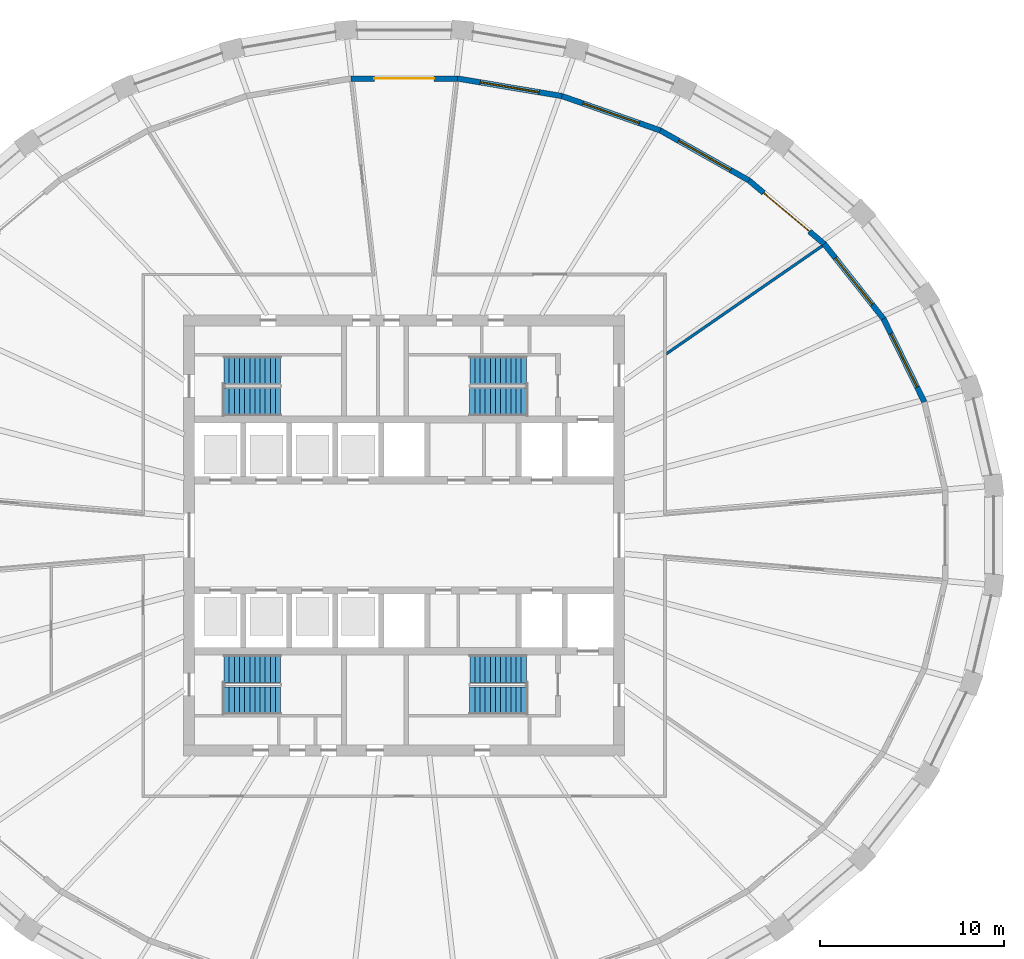
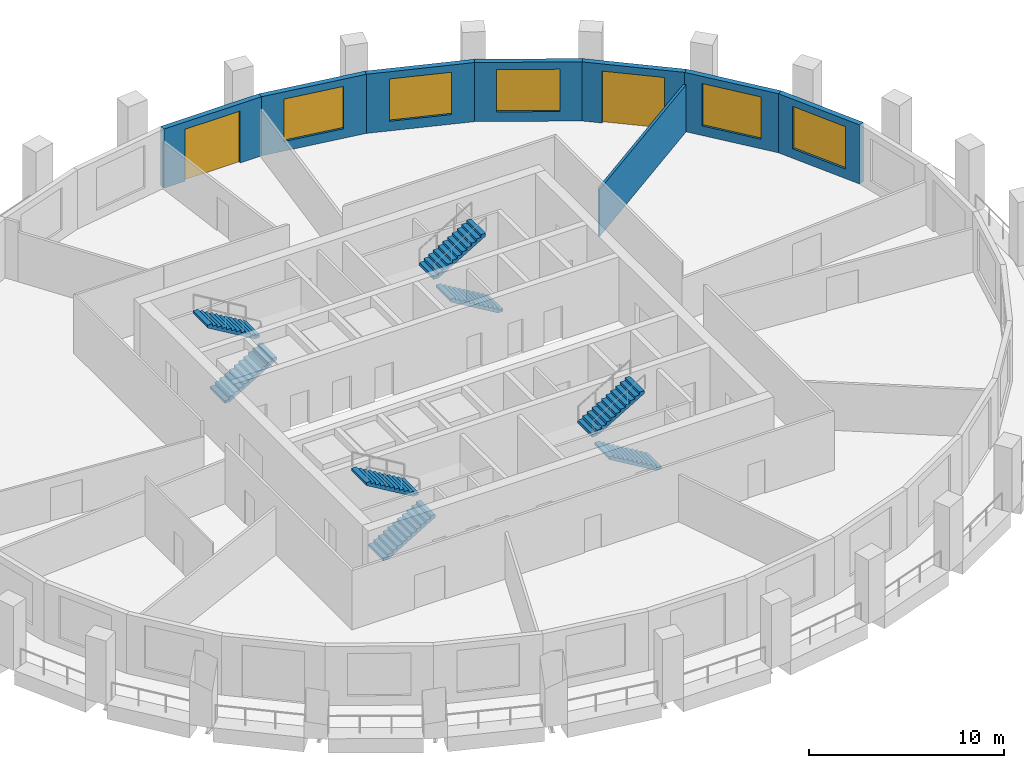
# One storey, part 7 of 10: 8 stair flights, 8 walls, 5 windows, 2 doors, 7 openings, 4 elements without a shape of their own.
"""IFC4 building model written with IfcOpenShell, lengths in metres."""

from ifc_helpers import new_model, si_unit, direction, frame, frame_2d, origin, place, context, subcontext, project, spatial, polyline, rectangle, outline, extrude, material, layer, layer_set, type_object, element, fill, aggregate, save


model = new_model("IFC4")

# Units and contexts
model_context = context("Model", 3, precision=1e-05, world=origin(), true_north=direction((0.0, 1.0)))
body_context = subcontext(model_context, "Body", "Model", "MODEL_VIEW")
ifc_project = project(units=[si_unit("LENGTHUNIT", "METRE"), si_unit("AREAUNIT", "SQUARE_METRE"), si_unit("VOLUMEUNIT", "CUBIC_METRE"), si_unit("PLANEANGLEUNIT", "RADIAN"), si_unit("MASSUNIT", "GRAM", prefix="KILO")], contexts=[model_context])

# Site, building, storey
site_placement = place(None, origin())
site = spatial("IfcSite", under=ifc_project, at=site_placement, CompositionType="ELEMENT")
building_placement = place(site_placement, origin())
building = spatial("IfcBuilding", under=site, at=building_placement, Name="Halqa Exchange Tower", CompositionType="ELEMENT")
storey_placement = place(building_placement, frame((0.0, 0.0, 202.89990234375)))
storey = spatial("IfcBuildingStorey", under=building, at=storey_placement, Name="L46", CompositionType="ELEMENT", Elevation=202.89990234375)

# Wall
ifc_material_1 = material(Name="Fire-rated gypsum board")
ifc_layer_1 = layer(ifc_material_1, 0.14990234375)
ifc_layer_set_1 = layer_set([ifc_layer_1], Name="Fire-rated gypsum board")
wall_type_1 = type_object("IfcWallType", Name="Fire partition EI 60 150", PredefinedType="PARTITIONING", material=ifc_layer_set_1)
wall_1_placement = place(storey_placement, frame((14.232421875, 9.8525390625, 0.0), z_axis=(0.0, 0.0, 1.0), x_axis=(0.822298116352, 0.569056946047, 0.0)))
element("IfcWall", 1, at=wall_1_placement, inside=storey, type_object=wall_type_1, Name="L46-PWL-020", PredefinedType="PARTITIONING", context=body_context, shape_type="SweptSolid", body=[
    extrude(outline(polyline([(10.370361328125, -0.074951171875), (10.370361328125, -0.070068359375), (10.36572265625, 0.001953125), (10.345947265625, 0.074951171875), (8.638916015625, 0.074951171875), (6.931884765625, 0.074951171875), (5.224853515625, 0.074951171875), (3.517822265625, 0.074951171875), (1.810791015625, 0.074951171875), (0.103759765625, 0.074951171875), (0.0, -0.07470703125), (0.0, -0.074951171875), (1.728515625, -0.074951171875), (3.456787109375, -0.074951171875), (5.18505859375, -0.074951171875), (6.91357421875, -0.074951171875), (8.64208984375, -0.074951171875), (10.370361328125, -0.074951171875)])), origin(), (0.0, 0.0, 1.0), 2.947021484375),
])

# Wall, opening, window
ifc_material_2 = material(Name="Limestone cladding", Category="masonry")
ifc_layer_2 = layer(ifc_material_2, 0.0400390625)
ifc_material_3 = material(Name="Ventilated cavity")
ifc_layer_3 = layer(ifc_material_3, 0.030029296875, ventilated=True)
ifc_material_4 = material(Name="Mineral wool insulation")
ifc_layer_4 = layer(ifc_material_4, 0.10009765625)
ifc_material_5 = material(Name="Concrete C30/37", Category="concrete")
ifc_layer_5 = layer(ifc_material_5, 0.10009765625)
ifc_material_6 = material(Name="Internal plaster")
ifc_layer_6 = layer(ifc_material_6, 0.030029296875)
ifc_layer_set_2 = layer_set([ifc_layer_2, ifc_layer_3, ifc_layer_4, ifc_layer_5, ifc_layer_6], Name="Stone-faced insulated wall 300")
wall_type_2 = type_object("IfcWallType", Name="Stone-faced insulated wall 300", PredefinedType="STANDARD", material=ifc_layer_set_2)
wall_2_placement = place(storey_placement, frame((28.311279296875, 7.259033203125, 0.0), z_axis=(0.0, 0.0, 1.0), x_axis=(-0.440773193145, 0.89761851151, 0.0)))
wall_2 = element("IfcWall", 2, at=wall_2_placement, inside=storey, type_object=wall_type_2, Name="Glass-line wall 2", PredefinedType="STANDARD", context=body_context, shape_type="SweptSolid", body=[
    extrude(outline(polyline([(-0.016845703125, -0.14990234375), (5.059326171875, -0.14990234375), (5.027099609375, 0.14990234375), (0.016845703125, 0.14990234375), (-0.016845703125, -0.14990234375)])), origin(), (0.0, 0.0, 1.0), 3.7001953125),
])
opening_1_placement = place(wall_2_placement, frame((0.896484375, 0.0, 0.60009765625)))
opening_1 = element("IfcOpeningElement", 3, at=opening_1_placement, cuts=wall_2, Name="Opening W-F3-02", PredefinedType="OPENING", context=body_context, shape_type="SweptSolid", body=[
    extrude(rectangle(XDim=3.25, YDim=2.64990234375, at=frame_2d((1.625, 1.324951171875))), frame((0.0, 0.162109375, 0.0), z_axis=(0.0, -1.0, 0.0), x_axis=(1.0, 0.0, 0.0)), (0.0, 0.0, 1.0), 0.323974609375),
])
ifc_material_7 = material(Name="Clear low-emissivity glass in aluminium frame", Category="aluminium")
window_type = type_object("IfcWindowType", Name="Fixed clear glazed window 3250 x 2650", PartitioningType="TRIPLE_PANEL_VERTICAL", PredefinedType="WINDOW", material=ifc_material_7)
window_1_placement = place(opening_1_placement, origin())
window_1 = element("IfcWindow", 4, at=window_1_placement, inside=storey, type_object=window_type, Name="Window 3", OverallHeight=2.64990234375, OverallWidth=3.25, PartitioningType="TRIPLE_PANEL_VERTICAL", PredefinedType="WINDOW", context=body_context, shape_type="SweptSolid", body=[
    extrude(rectangle(XDim=3.25, YDim=2.64990234375, at=frame_2d((1.625, 1.324951171875))), frame((0.0, 0.030029296875, 0.0), z_axis=(0.0, -1.0, 0.0), x_axis=(1.0, 0.0, 0.0)), (0.0, 0.0, 1.0), 0.06005859375),
])
fill(opening_1, window_1)

wall_3_placement = place(storey_placement, frame((26.08837890625, 11.785888671875, 0.0), z_axis=(0.0, 0.0, 1.0), x_axis=(-0.620870264345, 0.783913333763, 0.0)))
wall_3 = element("IfcWall", 5, at=wall_3_placement, inside=storey, type_object=wall_type_2, Name="Glass-line wall 3", PredefinedType="STANDARD", context=body_context, shape_type="SweptSolid", body=[
    extrude(outline(polyline([(-0.01611328125, -0.14990234375), (5.209716796875, -0.14990234375), (5.179443359375, 0.14990234375), (0.01611328125, 0.14990234375), (-0.01611328125, -0.14990234375)])), origin(), (0.0, 0.0, 1.0), 3.7001953125),
])
opening_2_placement = place(wall_3_placement, frame((0.97216796875, 0.0, 0.60009765625)))
opening_2 = element("IfcOpeningElement", 6, at=opening_2_placement, cuts=wall_3, Name="Opening W-F3-03", PredefinedType="OPENING", context=body_context, shape_type="SweptSolid", body=[
    extrude(rectangle(XDim=3.25, YDim=2.64990234375, at=frame_2d((1.625, 1.324951171875))), frame((0.0, 0.162109375, 0.0), z_axis=(0.0, -1.0, 0.0), x_axis=(1.0, 0.0, 0.0)), (0.0, 0.0, 1.0), 0.323974609375),
])
window_2_placement = place(opening_2_placement, origin())
window_2 = element("IfcWindow", 7, at=window_2_placement, inside=storey, type_object=window_type, Name="Window 3", OverallHeight=2.64990234375, OverallWidth=3.25, PartitioningType="TRIPLE_PANEL_VERTICAL", PredefinedType="WINDOW", context=body_context, shape_type="SweptSolid", body=[
    extrude(rectangle(XDim=3.25, YDim=2.64990234375, at=frame_2d((1.625, 1.324951171875))), frame((0.0, 0.030029296875, 0.0), z_axis=(0.0, -1.0, 0.0), x_axis=(1.0, 0.0, 0.0)), (0.0, 0.0, 1.0), 0.06005859375),
])
fill(opening_2, window_2)

# Wall, opening, door
wall_4_placement = place(storey_placement, frame((22.86328125, 15.85791015625, 0.0), z_axis=(0.0, 0.0, 1.0), x_axis=(-0.764386053229, 0.6447588399, 0.0)))
wall_4 = element("IfcWall", 8, at=wall_4_placement, inside=storey, type_object=wall_type_2, Name="Glass-line wall 4", PredefinedType="STANDARD", context=body_context, shape_type="SweptSolid", body=[
    extrude(outline(polyline([(-0.01513671875, -0.14990234375), (5.381591796875, -0.14990234375), (5.353271484375, 0.14990234375), (0.01513671875, 0.14990234375), (-0.01513671875, -0.14990234375)])), origin(), (0.0, 0.0, 1.0), 3.7001953125),
])
opening_3_placement = place(wall_4_placement, frame((1.058837890625, 0.0, 0.0)))
opening_3 = element("IfcOpeningElement", 9, at=opening_3_placement, cuts=wall_4, Name="Opening LG-F3-01", PredefinedType="OPENING", context=body_context, shape_type="SweptSolid", body=[
    extrude(rectangle(XDim=3.25, YDim=3.25, at=frame_2d((1.625, 1.625))), frame((0.0, 0.162109375, 0.0), z_axis=(0.0, -1.0, 0.0), x_axis=(1.0, 0.0, 0.0)), (0.0, 0.0, 1.0), 0.323974609375),
])
door_type = type_object("IfcDoorType", Name="Glazed sliding loggia door 3250 x 3250", OperationType="DOUBLE_DOOR_SLIDING", PredefinedType="DOOR", material=ifc_material_7)
door_1_placement = place(opening_3_placement, origin())
door_1 = element("IfcDoor", 10, at=door_1_placement, inside=storey, type_object=door_type, Name="Loggia door 1", OperationType="DOUBLE_DOOR_SLIDING", OverallHeight=3.25, OverallWidth=3.25, PredefinedType="DOOR", context=body_context, shape_type="SweptSolid", body=[
    extrude(rectangle(XDim=3.25, YDim=3.25, at=frame_2d((1.625, 1.625))), frame((0.0, 0.02490234375, 0.0), z_axis=(0.0, -1.0, 0.0), x_axis=(1.0, 0.0, 0.0)), (0.0, 0.0, 1.0), 0.050048828125),
])
fill(opening_3, door_1)

# Wall, opening, window
wall_5_placement = place(storey_placement, frame((18.760498046875, 19.318603515625, 0.0), z_axis=(0.0, 0.0, 1.0), x_axis=(-0.871140546168, 0.491033755278, 0.0)))
wall_5 = element("IfcWall", 11, at=wall_5_placement, inside=storey, type_object=wall_type_2, Name="Glass-line wall 5", PredefinedType="STANDARD", context=body_context, shape_type="SweptSolid", body=[
    extrude(outline(polyline([(-0.01416015625, -0.14990234375), (5.548828125, -0.14990234375), (5.52197265625, 0.14990234375), (0.01416015625, 0.14990234375), (-0.01416015625, -0.14990234375)])), origin(), (0.0, 0.0, 1.0), 3.7001953125),
])
opening_4_placement = place(wall_5_placement, frame((1.142578125, 0.0, 0.60009765625)))
opening_4 = element("IfcOpeningElement", 12, at=opening_4_placement, cuts=wall_5, Name="Opening W-F3-05", PredefinedType="OPENING", context=body_context, shape_type="SweptSolid", body=[
    extrude(rectangle(XDim=3.25, YDim=2.64990234375, at=frame_2d((1.625, 1.324951171875))), frame((0.0, 0.162109375, 0.0), z_axis=(0.0, -1.0, 0.0), x_axis=(1.0, 0.0, 0.0)), (0.0, 0.0, 1.0), 0.323974609375),
])
window_3_placement = place(opening_4_placement, origin())
window_3 = element("IfcWindow", 13, at=window_3_placement, inside=storey, type_object=window_type, Name="Window 3", OverallHeight=2.64990234375, OverallWidth=3.25, PartitioningType="TRIPLE_PANEL_VERTICAL", PredefinedType="WINDOW", context=body_context, shape_type="SweptSolid", body=[
    extrude(rectangle(XDim=3.25, YDim=2.64990234375, at=frame_2d((1.625, 1.324951171875))), frame((0.0, 0.030029296875, 0.0), z_axis=(0.0, -1.0, 0.0), x_axis=(1.0, 0.0, 0.0)), (0.0, 0.0, 1.0), 0.06005859375),
])
fill(opening_4, window_3)

wall_6_placement = place(storey_placement, frame((13.9384765625, 22.03662109375, 0.0), z_axis=(0.0, 0.0, 1.0), x_axis=(-0.944023272224, 0.329878858824, 0.0)))
wall_6 = element("IfcWall", 14, at=wall_6_placement, inside=storey, type_object=wall_type_2, Name="Glass-line wall 6", PredefinedType="STANDARD", context=body_context, shape_type="SweptSolid", body=[
    extrude(outline(polyline([(-0.013427734375, -0.14990234375), (5.686279296875, -0.14990234375), (5.660888671875, 0.14990234375), (0.013427734375, 0.14990234375), (-0.013427734375, -0.14990234375)])), origin(), (0.0, 0.0, 1.0), 3.7001953125),
])
opening_5_placement = place(wall_6_placement, frame((1.2119140625, 0.0, 0.60009765625)))
opening_5 = element("IfcOpeningElement", 15, at=opening_5_placement, cuts=wall_6, Name="Opening W-F3-06", PredefinedType="OPENING", context=body_context, shape_type="SweptSolid", body=[
    extrude(rectangle(XDim=3.25, YDim=2.64990234375, at=frame_2d((1.625, 1.324951171875))), frame((0.0, 0.162109375, 0.0), z_axis=(0.0, -1.0, 0.0), x_axis=(1.0, 0.0, 0.0)), (0.0, 0.0, 1.0), 0.323974609375),
])
window_4_placement = place(opening_5_placement, origin())
window_4 = element("IfcWindow", 16, at=window_4_placement, inside=storey, type_object=window_type, Name="Window 3", OverallHeight=2.64990234375, OverallWidth=3.25, PartitioningType="TRIPLE_PANEL_VERTICAL", PredefinedType="WINDOW", context=body_context, shape_type="SweptSolid", body=[
    extrude(rectangle(XDim=3.25, YDim=2.64990234375, at=frame_2d((1.625, 1.324951171875))), frame((0.0, 0.030029296875, 0.0), z_axis=(0.0, -1.0, 0.0), x_axis=(1.0, 0.0, 0.0)), (0.0, 0.0, 1.0), 0.06005859375),
])
fill(opening_5, window_4)

wall_7_placement = place(storey_placement, frame((8.58251953125, 23.908203125, 0.0), z_axis=(0.0, 0.0, 1.0), x_axis=(-0.98622052717, 0.165436005116, 0.0)))
wall_7 = element("IfcWall", 17, at=wall_7_placement, inside=storey, type_object=wall_type_2, Name="Glass-line wall 7", PredefinedType="STANDARD", context=body_context, shape_type="SweptSolid", body=[
    extrude(outline(polyline([(-0.0126953125, -0.14990234375), (5.776611328125, -0.14990234375), (5.751708984375, 0.14990234375), (0.0126953125, 0.14990234375), (-0.0126953125, -0.14990234375)])), origin(), (0.0, 0.0, 1.0), 3.7001953125),
])
opening_6_placement = place(wall_7_placement, frame((1.257080078125, 0.0, 0.60009765625)))
opening_6 = element("IfcOpeningElement", 18, at=opening_6_placement, cuts=wall_7, Name="Opening W-F3-07", PredefinedType="OPENING", context=body_context, shape_type="SweptSolid", body=[
    extrude(rectangle(XDim=3.25, YDim=2.64990234375, at=frame_2d((1.625, 1.324951171875))), frame((0.0, 0.162109375, 0.0), z_axis=(0.0, -1.0, 0.0), x_axis=(1.0, 0.0, 0.0)), (0.0, 0.0, 1.0), 0.323974609375),
])
window_5_placement = place(opening_6_placement, origin())
window_5 = element("IfcWindow", 19, at=window_5_placement, inside=storey, type_object=window_type, Name="Window 3", OverallHeight=2.64990234375, OverallWidth=3.25, PartitioningType="TRIPLE_PANEL_VERTICAL", PredefinedType="WINDOW", context=body_context, shape_type="SweptSolid", body=[
    extrude(rectangle(XDim=3.25, YDim=2.64990234375, at=frame_2d((1.625, 1.324951171875))), frame((0.0, 0.030029296875, 0.0), z_axis=(0.0, -1.0, 0.0), x_axis=(1.0, 0.0, 0.0)), (0.0, 0.0, 1.0), 0.06005859375),
])
fill(opening_6, window_5)

# Wall, opening, door
wall_8_placement = place(storey_placement, frame((2.897705078125, 24.86181640625, 0.0), z_axis=(0.0, 0.0, 1.0), x_axis=(-1.0, 0.0, 0.0)))
wall_8 = element("IfcWall", 20, at=wall_8_placement, inside=storey, type_object=wall_type_2, Name="Glass-line wall 8", PredefinedType="STANDARD", context=body_context, shape_type="SweptSolid", body=[
    extrude(outline(polyline([(-0.012451171875, -0.14990234375), (5.807861328125, -0.14990234375), (5.782958984375, 0.14990234375), (0.012451171875, 0.14990234375), (-0.012451171875, -0.14990234375)])), origin(), (0.0, 0.0, 1.0), 3.7001953125),
])
opening_7_placement = place(wall_8_placement, frame((1.272705078125, 0.0, 0.0)))
opening_7 = element("IfcOpeningElement", 21, at=opening_7_placement, cuts=wall_8, Name="Opening LG-F3-02", PredefinedType="OPENING", context=body_context, shape_type="SweptSolid", body=[
    extrude(rectangle(XDim=3.25, YDim=3.25, at=frame_2d((1.625, 1.625))), frame((0.0, 0.162109375, 0.0), z_axis=(0.0, -1.0, 0.0), x_axis=(1.0, 0.0, 0.0)), (0.0, 0.0, 1.0), 0.323974609375),
])
door_2_placement = place(opening_7_placement, origin())
door_2 = element("IfcDoor", 22, at=door_2_placement, inside=storey, type_object=door_type, Name="Loggia door 2", OperationType="DOUBLE_DOOR_SLIDING", OverallHeight=3.25, OverallWidth=3.25, PredefinedType="DOOR", context=body_context, shape_type="SweptSolid", body=[
    extrude(rectangle(XDim=3.25, YDim=3.25, at=frame_2d((1.625, 1.625))), frame((0.0, 0.02490234375, 0.0), z_axis=(0.0, -1.0, 0.0), x_axis=(1.0, 0.0, 0.0)), (0.0, 0.0, 1.0), 0.050048828125),
])
fill(opening_7, door_2)

# Stair, stair flights
stair_type = type_object("IfcStairType", Name="Exit stair 1500 wide", PredefinedType="HALF_TURN_STAIR", material=ifc_material_5)
stair_1_placement = place(storey_placement, origin())
stair_1 = element("IfcStair", 23, at=stair_1_placement, inside=storey, type_object=stair_type, Name="Exit stair ST1", PredefinedType="HALF_TURN_STAIR")
stair_flight_type = type_object("IfcStairFlightType", Name="Stair flight 1500 wide", PredefinedType="STRAIGHT", material=ifc_material_5)
stair_flight_1_placement = place(storey_placement, frame((-9.800048828125, 7.25, 0.0), z_axis=(0.0, 0.0, 1.0), x_axis=(1.0, 0.0, 0.0)))
stair_flight_1 = element("IfcStairFlight", 24, at=stair_flight_1_placement, type_object=stair_flight_type, Name="ST1 flight 1", NumberOfRisers=12, NumberOfTreads=11, PredefinedType="STRAIGHT", RiserHeight=0.166666667, TreadLength=0.28, context=body_context, shape_type="SweptSolid", body=[
    extrude(outline(polyline([(0.0, 0.0), (0.0, 0.166748046875), (0.280029296875, 0.166748046875), (0.280029296875, 0.333251953125), (0.56005859375, 0.333251953125), (0.56005859375, 0.5), (0.840087890625, 0.5), (0.840087890625, 0.666748046875), (1.1201171875, 0.666748046875), (1.1201171875, 0.833251953125), (1.39990234375, 0.833251953125), (1.39990234375, 1.0), (1.679931640625, 1.0), (1.679931640625, 1.166748046875), (1.9599609375, 1.166748046875), (1.9599609375, 1.333251953125), (2.239990234375, 1.333251953125), (2.239990234375, 1.5), (2.52001953125, 1.5), (2.52001953125, 1.666748046875), (2.800048828125, 1.666748046875), (2.800048828125, 1.833251953125), (3.080078125, 1.833251953125), (3.080078125, 2.0), (3.080078125, 1.658935546875), (0.29296875, 0.0), (0.0, 0.0)])), frame((0.0, 0.75, 0.0), z_axis=(0.0, -1.0, 0.0), x_axis=(1.0, 0.0, 0.0)), (0.0, 0.0, 1.0), 1.5),
])
stair_flight_2_placement = place(storey_placement, frame((-6.719970703125, 9.0, 2.0), z_axis=(0.0, 0.0, 1.0), x_axis=(-1.0, 0.0, 0.0)))
stair_flight_2 = element("IfcStairFlight", 25, at=stair_flight_2_placement, type_object=stair_flight_type, Name="ST1 flight 2", NumberOfRisers=12, NumberOfTreads=11, PredefinedType="STRAIGHT", RiserHeight=0.166666667, TreadLength=0.28, context=body_context, shape_type="SweptSolid", body=[
    extrude(outline(polyline([(0.0, 0.0), (0.0, 0.166748046875), (0.280029296875, 0.166748046875), (0.280029296875, 0.333251953125), (0.56005859375, 0.333251953125), (0.56005859375, 0.5), (0.840087890625, 0.5), (0.840087890625, 0.666748046875), (1.1201171875, 0.666748046875), (1.1201171875, 0.833251953125), (1.39990234375, 0.833251953125), (1.39990234375, 1.0), (1.679931640625, 1.0), (1.679931640625, 1.166748046875), (1.9599609375, 1.166748046875), (1.9599609375, 1.333251953125), (2.239990234375, 1.333251953125), (2.239990234375, 1.5), (2.52001953125, 1.5), (2.52001953125, 1.666748046875), (2.800048828125, 1.666748046875), (2.800048828125, 1.833251953125), (3.080078125, 1.833251953125), (3.080078125, 2.0), (3.080078125, 1.658935546875), (0.29296875, 0.0), (0.0, 0.0)])), frame((0.0, 0.75, 0.0), z_axis=(0.0, -1.0, 0.0), x_axis=(1.0, 0.0, 0.0)), (0.0, 0.0, 1.0), 1.5),
])
aggregate(stair_1, [stair_flight_1, stair_flight_2])

stair_2_placement = place(storey_placement, origin())
stair_2 = element("IfcStair", 26, at=stair_2_placement, inside=storey, type_object=stair_type, Name="Exit stair ST2", PredefinedType="HALF_TURN_STAIR")
stair_flight_3_placement = place(storey_placement, frame((6.64990234375, 7.25, 0.0), z_axis=(0.0, 0.0, 1.0), x_axis=(-1.0, 0.0, 0.0)))
stair_flight_3 = element("IfcStairFlight", 27, at=stair_flight_3_placement, type_object=stair_flight_type, Name="ST2 flight 1", NumberOfRisers=12, NumberOfTreads=11, PredefinedType="STRAIGHT", RiserHeight=0.166666667, TreadLength=0.28, context=body_context, shape_type="SweptSolid", body=[
    extrude(outline(polyline([(0.0, 0.0), (0.0, 0.166748046875), (0.280029296875, 0.166748046875), (0.280029296875, 0.333251953125), (0.56005859375, 0.333251953125), (0.56005859375, 0.5), (0.840087890625, 0.5), (0.840087890625, 0.666748046875), (1.1201171875, 0.666748046875), (1.1201171875, 0.833251953125), (1.39990234375, 0.833251953125), (1.39990234375, 1.0), (1.679931640625, 1.0), (1.679931640625, 1.166748046875), (1.9599609375, 1.166748046875), (1.9599609375, 1.333251953125), (2.239990234375, 1.333251953125), (2.239990234375, 1.5), (2.52001953125, 1.5), (2.52001953125, 1.666748046875), (2.800048828125, 1.666748046875), (2.800048828125, 1.833251953125), (3.080078125, 1.833251953125), (3.080078125, 2.0), (3.080078125, 1.658935546875), (0.29296875, 0.0), (0.0, 0.0)])), frame((0.0, 0.75, 0.0), z_axis=(0.0, -1.0, 0.0), x_axis=(1.0, 0.0, 0.0)), (0.0, 0.0, 1.0), 1.5),
])
stair_flight_4_placement = place(storey_placement, frame((3.570068359375, 9.0, 2.0), z_axis=(0.0, 0.0, 1.0), x_axis=(1.0, 0.0, 0.0)))
stair_flight_4 = element("IfcStairFlight", 28, at=stair_flight_4_placement, type_object=stair_flight_type, Name="ST2 flight 2", NumberOfRisers=12, NumberOfTreads=11, PredefinedType="STRAIGHT", RiserHeight=0.166666667, TreadLength=0.28, context=body_context, shape_type="SweptSolid", body=[
    extrude(outline(polyline([(0.0, 0.0), (0.0, 0.166748046875), (0.280029296875, 0.166748046875), (0.280029296875, 0.333251953125), (0.56005859375, 0.333251953125), (0.56005859375, 0.5), (0.840087890625, 0.5), (0.840087890625, 0.666748046875), (1.1201171875, 0.666748046875), (1.1201171875, 0.833251953125), (1.39990234375, 0.833251953125), (1.39990234375, 1.0), (1.679931640625, 1.0), (1.679931640625, 1.166748046875), (1.9599609375, 1.166748046875), (1.9599609375, 1.333251953125), (2.239990234375, 1.333251953125), (2.239990234375, 1.5), (2.52001953125, 1.5), (2.52001953125, 1.666748046875), (2.800048828125, 1.666748046875), (2.800048828125, 1.833251953125), (3.080078125, 1.833251953125), (3.080078125, 2.0), (3.080078125, 1.658935546875), (0.29296875, 0.0), (0.0, 0.0)])), frame((0.0, 0.75, 0.0), z_axis=(0.0, -1.0, 0.0), x_axis=(1.0, 0.0, 0.0)), (0.0, 0.0, 1.0), 1.5),
])
aggregate(stair_2, [stair_flight_3, stair_flight_4])

stair_3_placement = place(storey_placement, origin())
stair_3 = element("IfcStair", 29, at=stair_3_placement, inside=storey, type_object=stair_type, Name="Exit stair ST3", PredefinedType="HALF_TURN_STAIR")
stair_flight_5_placement = place(storey_placement, frame((-9.800048828125, -9.0, 0.0), z_axis=(0.0, 0.0, 1.0), x_axis=(1.0, 0.0, 0.0)))
stair_flight_5 = element("IfcStairFlight", 30, at=stair_flight_5_placement, type_object=stair_flight_type, Name="ST3 flight 1", NumberOfRisers=12, NumberOfTreads=11, PredefinedType="STRAIGHT", RiserHeight=0.166666667, TreadLength=0.28, context=body_context, shape_type="SweptSolid", body=[
    extrude(outline(polyline([(0.0, 0.0), (0.0, 0.166748046875), (0.280029296875, 0.166748046875), (0.280029296875, 0.333251953125), (0.56005859375, 0.333251953125), (0.56005859375, 0.5), (0.840087890625, 0.5), (0.840087890625, 0.666748046875), (1.1201171875, 0.666748046875), (1.1201171875, 0.833251953125), (1.39990234375, 0.833251953125), (1.39990234375, 1.0), (1.679931640625, 1.0), (1.679931640625, 1.166748046875), (1.9599609375, 1.166748046875), (1.9599609375, 1.333251953125), (2.239990234375, 1.333251953125), (2.239990234375, 1.5), (2.52001953125, 1.5), (2.52001953125, 1.666748046875), (2.800048828125, 1.666748046875), (2.800048828125, 1.833251953125), (3.080078125, 1.833251953125), (3.080078125, 2.0), (3.080078125, 1.658935546875), (0.29296875, 0.0), (0.0, 0.0)])), frame((0.0, 0.75, 0.0), z_axis=(0.0, -1.0, 0.0), x_axis=(1.0, 0.0, 0.0)), (0.0, 0.0, 1.0), 1.5),
])
stair_flight_6_placement = place(storey_placement, frame((-6.719970703125, -7.25, 2.0), z_axis=(0.0, 0.0, 1.0), x_axis=(-1.0, 0.0, 0.0)))
stair_flight_6 = element("IfcStairFlight", 31, at=stair_flight_6_placement, type_object=stair_flight_type, Name="ST3 flight 2", NumberOfRisers=12, NumberOfTreads=11, PredefinedType="STRAIGHT", RiserHeight=0.166666667, TreadLength=0.28, context=body_context, shape_type="SweptSolid", body=[
    extrude(outline(polyline([(0.0, 0.0), (0.0, 0.166748046875), (0.280029296875, 0.166748046875), (0.280029296875, 0.333251953125), (0.56005859375, 0.333251953125), (0.56005859375, 0.5), (0.840087890625, 0.5), (0.840087890625, 0.666748046875), (1.1201171875, 0.666748046875), (1.1201171875, 0.833251953125), (1.39990234375, 0.833251953125), (1.39990234375, 1.0), (1.679931640625, 1.0), (1.679931640625, 1.166748046875), (1.9599609375, 1.166748046875), (1.9599609375, 1.333251953125), (2.239990234375, 1.333251953125), (2.239990234375, 1.5), (2.52001953125, 1.5), (2.52001953125, 1.666748046875), (2.800048828125, 1.666748046875), (2.800048828125, 1.833251953125), (3.080078125, 1.833251953125), (3.080078125, 2.0), (3.080078125, 1.658935546875), (0.29296875, 0.0), (0.0, 0.0)])), frame((0.0, 0.75, 0.0), z_axis=(0.0, -1.0, 0.0), x_axis=(1.0, 0.0, 0.0)), (0.0, 0.0, 1.0), 1.5),
])
aggregate(stair_3, [stair_flight_5, stair_flight_6])

stair_4_placement = place(storey_placement, origin())
stair_4 = element("IfcStair", 32, at=stair_4_placement, inside=storey, type_object=stair_type, Name="Exit stair ST4", PredefinedType="HALF_TURN_STAIR")
stair_flight_7_placement = place(storey_placement, frame((6.64990234375, -9.0, 0.0), z_axis=(0.0, 0.0, 1.0), x_axis=(-1.0, 0.0, 0.0)))
stair_flight_7 = element("IfcStairFlight", 33, at=stair_flight_7_placement, type_object=stair_flight_type, Name="ST4 flight 1", NumberOfRisers=12, NumberOfTreads=11, PredefinedType="STRAIGHT", RiserHeight=0.166666667, TreadLength=0.28, context=body_context, shape_type="SweptSolid", body=[
    extrude(outline(polyline([(0.0, 0.0), (0.0, 0.166748046875), (0.280029296875, 0.166748046875), (0.280029296875, 0.333251953125), (0.56005859375, 0.333251953125), (0.56005859375, 0.5), (0.840087890625, 0.5), (0.840087890625, 0.666748046875), (1.1201171875, 0.666748046875), (1.1201171875, 0.833251953125), (1.39990234375, 0.833251953125), (1.39990234375, 1.0), (1.679931640625, 1.0), (1.679931640625, 1.166748046875), (1.9599609375, 1.166748046875), (1.9599609375, 1.333251953125), (2.239990234375, 1.333251953125), (2.239990234375, 1.5), (2.52001953125, 1.5), (2.52001953125, 1.666748046875), (2.800048828125, 1.666748046875), (2.800048828125, 1.833251953125), (3.080078125, 1.833251953125), (3.080078125, 2.0), (3.080078125, 1.658935546875), (0.29296875, 0.0), (0.0, 0.0)])), frame((0.0, 0.75, 0.0), z_axis=(0.0, -1.0, 0.0), x_axis=(1.0, 0.0, 0.0)), (0.0, 0.0, 1.0), 1.5),
])
stair_flight_8_placement = place(storey_placement, frame((3.570068359375, -7.25, 2.0), z_axis=(0.0, 0.0, 1.0), x_axis=(1.0, 0.0, 0.0)))
stair_flight_8 = element("IfcStairFlight", 34, at=stair_flight_8_placement, type_object=stair_flight_type, Name="ST4 flight 2", NumberOfRisers=12, NumberOfTreads=11, PredefinedType="STRAIGHT", RiserHeight=0.166666667, TreadLength=0.28, context=body_context, shape_type="SweptSolid", body=[
    extrude(outline(polyline([(0.0, 0.0), (0.0, 0.166748046875), (0.280029296875, 0.166748046875), (0.280029296875, 0.333251953125), (0.56005859375, 0.333251953125), (0.56005859375, 0.5), (0.840087890625, 0.5), (0.840087890625, 0.666748046875), (1.1201171875, 0.666748046875), (1.1201171875, 0.833251953125), (1.39990234375, 0.833251953125), (1.39990234375, 1.0), (1.679931640625, 1.0), (1.679931640625, 1.166748046875), (1.9599609375, 1.166748046875), (1.9599609375, 1.333251953125), (2.239990234375, 1.333251953125), (2.239990234375, 1.5), (2.52001953125, 1.5), (2.52001953125, 1.666748046875), (2.800048828125, 1.666748046875), (2.800048828125, 1.833251953125), (3.080078125, 1.833251953125), (3.080078125, 2.0), (3.080078125, 1.658935546875), (0.29296875, 0.0), (0.0, 0.0)])), frame((0.0, 0.75, 0.0), z_axis=(0.0, -1.0, 0.0), x_axis=(1.0, 0.0, 0.0)), (0.0, 0.0, 1.0), 1.5),
])
aggregate(stair_4, [stair_flight_7, stair_flight_8])

save(model, "model.ifc")
